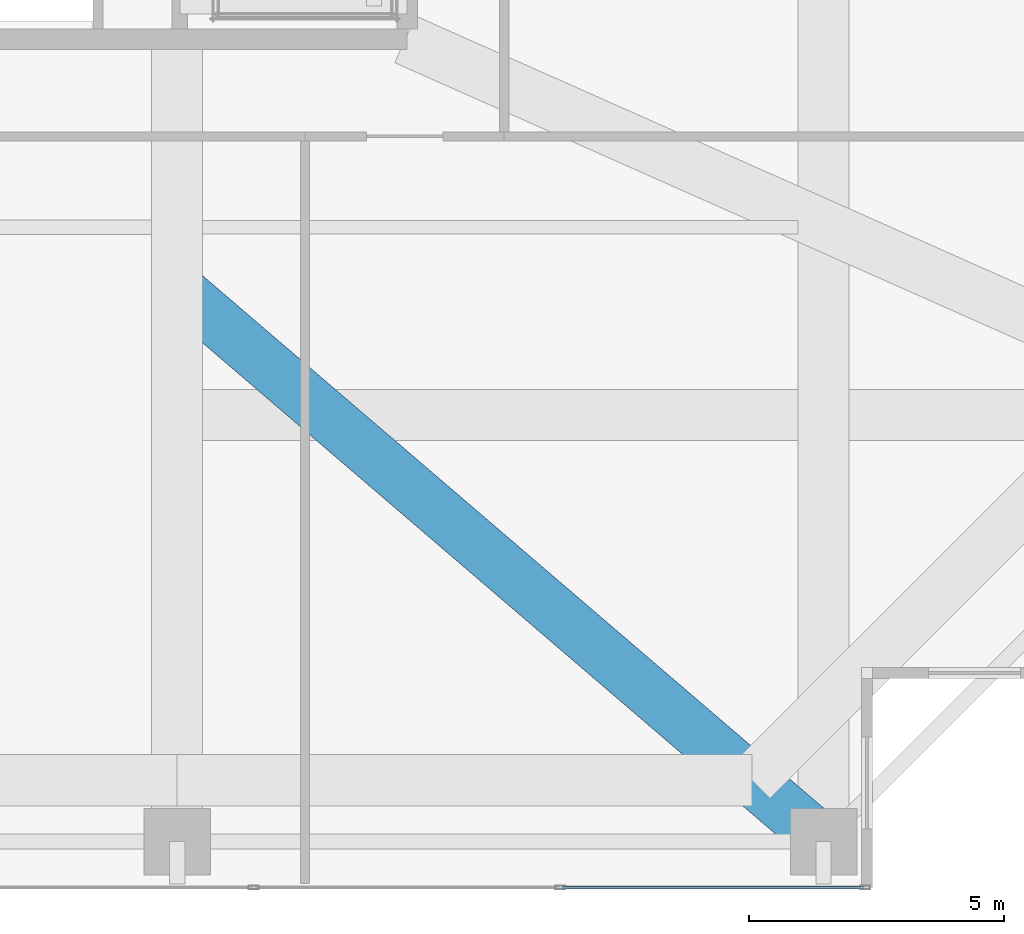
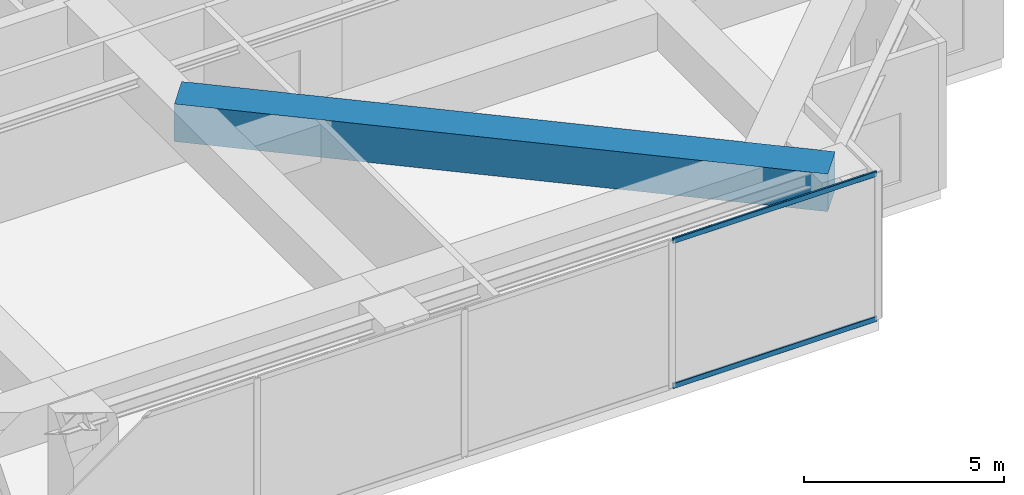
# One storey, part 12 of 35: 2 members, 1 beam, 1 element without a shape of its own.
"""IFC4 building model written with IfcOpenShell, lengths in metres."""

from ifc_helpers import new_model, si_unit, direction, frame, origin, origin_2d, place, context, subcontext, project, spatial, rectangle, hollow_rectangle, extrude, source, transform, mapped, material, layer, layer_set, material_profile, profile_set, type_object, element, aggregate, save


model = new_model("IFC4")

# Units and contexts
model_context = context("Model", 3, precision=1e-05, world=origin(), true_north=direction((0.0, 1.0)))
body_context = subcontext(model_context, "Body", "Model", "MODEL_VIEW")
ifc_project = project(units=[si_unit("LENGTHUNIT", "METRE"), si_unit("AREAUNIT", "SQUARE_METRE"), si_unit("VOLUMEUNIT", "CUBIC_METRE"), si_unit("PLANEANGLEUNIT", "RADIAN"), si_unit("MASSUNIT", "GRAM", prefix="KILO")], contexts=[model_context])

# Site, building, storey
site_placement = place(None, origin())
site = spatial("IfcSite", under=ifc_project, at=site_placement, CompositionType="ELEMENT")
building_placement = place(site_placement, origin())
building = spatial("IfcBuilding", under=site, at=building_placement, Name="Serunith Strait Residences", CompositionType="ELEMENT")
storey_placement = place(building_placement, frame((0.0, 0.0, 115.199951171875)))
storey = spatial("IfcBuildingStorey", under=building, at=storey_placement, Name="L28", CompositionType="ELEMENT", Elevation=115.199951171875)

# Beam
ifc_material_1 = material(Name="Concrete C80/95", Category="concrete")
ifc_material_profile_1 = material_profile(ifc_material_1, rectangle(XDim=1.0, YDim=1.14990234375, at=origin_2d()), Name="RC 1000x1150")
ifc_profile_set_1 = profile_set([ifc_material_profile_1], Name="Concrete C80/95")
beam_type = type_object("IfcBeamType", Name="BM-XFER-1000x1150", PredefinedType="BEAM", material=ifc_profile_set_1)
shared_shape_1 = source(origin(), body_context, "Body", "SweptSolid", [
    extrude(rectangle(XDim=1.0, YDim=1.14990234375, at=origin_2d()), origin(), (0.0, 0.0, 1.0), 16.6611328125),
])
beam_placement = place(storey_placement, frame((49.550048828125, 1.10009765625, 3.93505859375), z_axis=(-0.759262808451, 0.650784132953, 0.0), x_axis=(-0.650784132953, -0.759262808451, 0.0)))
element("IfcBeam", 1, at=beam_placement, inside=storey, type_object=beam_type, Name="L28 Diagonal Corner Transfer Girder TC-S4", PredefinedType="BEAM", context=body_context, shape_type="MappedRepresentation", body=[
    mapped(shared_shape_1, transform((0.0, 0.0, 0.0), scale=1.0)),
])

# Curtain wall, members
ifc_material_2 = material(Name="Pale-Champagne Anodised Aluminium", Category="aluminium")
ifc_layer = layer(ifc_material_2, 0.199951171875, Name="Pale-Champagne Anodised Aluminium")
ifc_layer_set = layer_set([ifc_layer], Name="Pale-Champagne Anodised Aluminium")
curtain_wall_type = type_object("IfcCurtainWallType", Name="CW-SYS1", PredefinedType="NOTDEFINED", material=ifc_layer_set)
curtain_wall_placement = place(storey_placement, origin())
curtain_wall = element("IfcCurtainWall", 2, at=curtain_wall_placement, inside=storey, type_object=curtain_wall_type, Name="L28 S Unitised Fritted Curtain Wall", PredefinedType="NOTDEFINED")
ifc_material_profile_2 = material_profile(ifc_material_2, hollow_rectangle(XDim=0.06005859375, YDim=0.159912109375, WallThickness=0.00341796875, InnerFilletRadius=0.00537109375, OuterFilletRadius=0.0087890625, at=origin_2d()), Name="ALU 160x60x3.5")
ifc_profile_set_2 = profile_set([ifc_material_profile_2], Name="Pale-Champagne Anodised Aluminium")
member_type = type_object("IfcMemberType", Name="CW-SYS1-TRAN", PredefinedType="USERDEFINED", material=ifc_profile_set_2)
shared_shape_2 = source(origin(), body_context, "Body", "SweptSolid", [
    extrude(hollow_rectangle(XDim=0.06005859375, YDim=0.159912109375, WallThickness=0.00341796875, InnerFilletRadius=0.00537109375, OuterFilletRadius=0.0087890625, at=origin_2d()), origin(), (0.0, 0.0, 1.0), 5.89501953125),
])
member_1_placement = place(storey_placement, frame((44.43505859375, 0.199951171875, 0.030029296875), z_axis=(1.0, 0.0, 0.0), x_axis=(0.0, 1.0, 0.0)))
member_1 = element("IfcMember", 3, at=member_1_placement, type_object=member_type, Name="CW-1 transom 6.1", ObjectType="TRANSOM", PredefinedType="USERDEFINED", context=body_context, shape_type="MappedRepresentation", body=[
    mapped(shared_shape_2, transform((0.0, 0.0, 0.0), scale=1.0)),
])
member_2_placement = place(storey_placement, frame((44.43505859375, 0.199951171875, 4.465087890625), z_axis=(1.0, 0.0, 0.0), x_axis=(0.0, 1.0, 0.0)))
member_2 = element("IfcMember", 4, at=member_2_placement, type_object=member_type, Name="CW-1 transom 6.2", ObjectType="TRANSOM", PredefinedType="USERDEFINED", context=body_context, shape_type="MappedRepresentation", body=[
    mapped(shared_shape_2, transform((0.0, 0.0, 0.0), scale=1.0)),
])
aggregate(curtain_wall, [member_1, member_2])

save(model, "model.ifc")
